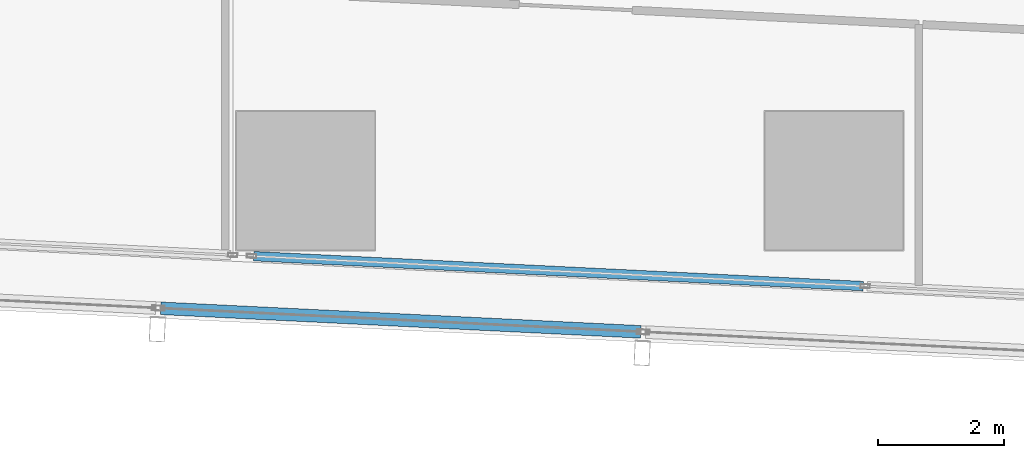
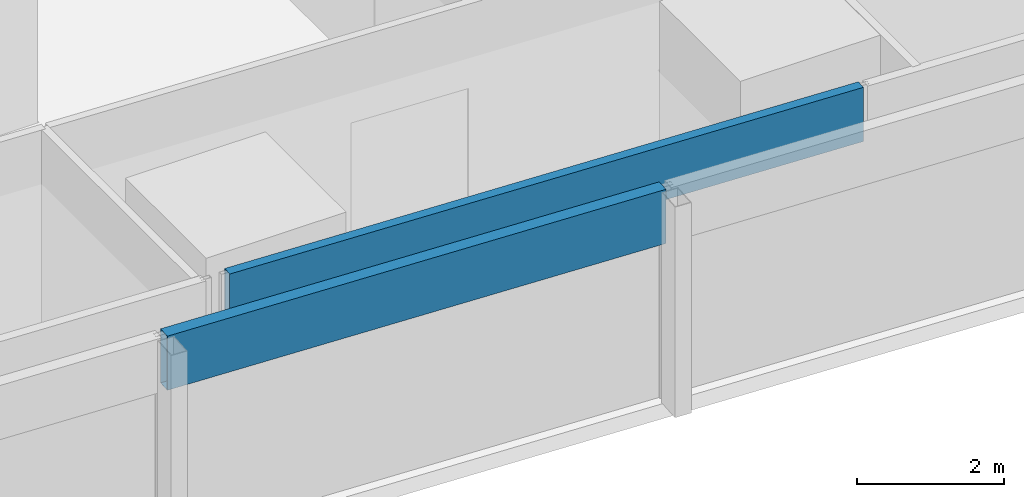
# One storey, part 3 of 45: 2 members, 2 elements without a shape of their own.
"""IFC4 building model written with IfcOpenShell, lengths in metres."""

from ifc_helpers import new_model, si_unit, direction, frame, origin, origin_2d, place, context, subcontext, project, spatial, hollow_rectangle, extrude, material, material_profile, profile_set, type_object, element, aggregate, save


model = new_model("IFC4")

# Units and contexts
model_context = context("Model", 3, precision=1e-05, world=origin(), true_north=direction((0.0, 1.0)))
body_context = subcontext(model_context, "Body", "Model", "MODEL_VIEW")
ifc_project = project(units=[si_unit("LENGTHUNIT", "METRE"), si_unit("AREAUNIT", "SQUARE_METRE"), si_unit("VOLUMEUNIT", "CUBIC_METRE"), si_unit("PLANEANGLEUNIT", "RADIAN"), si_unit("MASSUNIT", "GRAM", prefix="KILO")], contexts=[model_context])

# Site, building, storey
site_placement = place(None, origin())
site = spatial("IfcSite", under=ifc_project, at=site_placement, CompositionType="ELEMENT")
building_placement = place(site_placement, origin())
building = spatial("IfcBuilding", under=site, at=building_placement, Name="Rekha Terrace Tower", CompositionType="ELEMENT")
storey_placement = place(building_placement, frame((0.0, 0.0, 44.14990234375)))
storey = spatial("IfcBuildingStorey", under=building, at=storey_placement, Name="L10", CompositionType="ELEMENT", Elevation=44.14990234375)

# Curtain wall, member
ifc_material_1 = material(Name="Aluminium framing", Category="aluminium")
curtain_wall_type_1 = type_object("IfcCurtainWallType", Name="CW1 double skin inner glazing", PredefinedType="USERDEFINED", material=ifc_material_1)
curtain_wall_1_placement = place(storey_placement, origin())
curtain_wall_1 = element("IfcCurtainWall", 1, at=curtain_wall_1_placement, inside=storey, type_object=curtain_wall_type_1, Name="CW1 double skin inner glazing", ObjectType="DOUBLE SKIN INNER GLAZING", PredefinedType="USERDEFINED")
ifc_material_2 = material(Name="Insulated aluminium spandrel box", Category="aluminium")
ifc_material_profile_1 = material_profile(ifc_material_2, hollow_rectangle(XDim=0.14990234375, YDim=0.89990234375, WallThickness=0.0029296875, at=origin_2d()), Name="AL SPANDREL BOX 150x900")
ifc_profile_set_1 = profile_set([ifc_material_profile_1], Name="Insulated aluminium spandrel box")
member_type_1 = type_object("IfcMemberType", Name="CW1 spandrel transom 150 x 900", PredefinedType="USERDEFINED", material=ifc_profile_set_1)
member_1_placement = place(storey_placement, frame((15.973388671875, 7.200927734375, 3.050048828125), z_axis=(0.99879655824, -0.049045236754, 0.0), x_axis=(0.049045236754, 0.99879655824, 0.0)))
member_1 = element("IfcMember", 2, at=member_1_placement, type_object=member_type_1, Name="CW1 spandrel transom 1", ObjectType="TRANSOM", PredefinedType="USERDEFINED", context=body_context, shape_type="SweptSolid", body=[
    extrude(hollow_rectangle(XDim=0.14990234375, YDim=0.89990234375, WallThickness=0.0029296875, at=origin_2d()), origin(), (0.0, 0.0, 1.0), 9.701904296875),
])
aggregate(curtain_wall_1, [member_1])

curtain_wall_type_2 = type_object("IfcCurtainWallType", Name="CW2 double skin outer glazing", PredefinedType="USERDEFINED", material=ifc_material_1)
curtain_wall_2_placement = place(storey_placement, origin())
curtain_wall_2 = element("IfcCurtainWall", 3, at=curtain_wall_2_placement, inside=storey, type_object=curtain_wall_type_2, Name="CW2 double skin outer glazing", ObjectType="DOUBLE SKIN OUTER GLAZING", PredefinedType="USERDEFINED")
ifc_material_profile_2 = material_profile(ifc_material_2, hollow_rectangle(XDim=0.199951171875, YDim=0.89990234375, WallThickness=0.0029296875, at=origin_2d()), Name="AL SPANDREL BOX 200x900")
ifc_profile_set_2 = profile_set([ifc_material_profile_2], Name="Insulated aluminium spandrel box")
member_type_2 = type_object("IfcMemberType", Name="CW2 spandrel transom 200 x 900", PredefinedType="USERDEFINED", material=ifc_profile_set_2)
member_2_placement = place(storey_placement, frame((14.499755859375, 6.372314453125, 3.050048828125), z_axis=(0.998796511558, -0.049046187417, 0.0), x_axis=(0.049046187417, 0.998796511558, 0.0)))
member_2 = element("IfcMember", 4, at=member_2_placement, type_object=member_type_2, Name="CW2 spandrel transom 2", ObjectType="TRANSOM", PredefinedType="USERDEFINED", context=body_context, shape_type="SweptSolid", body=[
    extrude(hollow_rectangle(XDim=0.199951171875, YDim=0.89990234375, WallThickness=0.0029296875, at=origin_2d()), origin(), (0.0, 0.0, 1.0), 7.635986328125),
])
aggregate(curtain_wall_2, [member_2])

save(model, "model.ifc")
